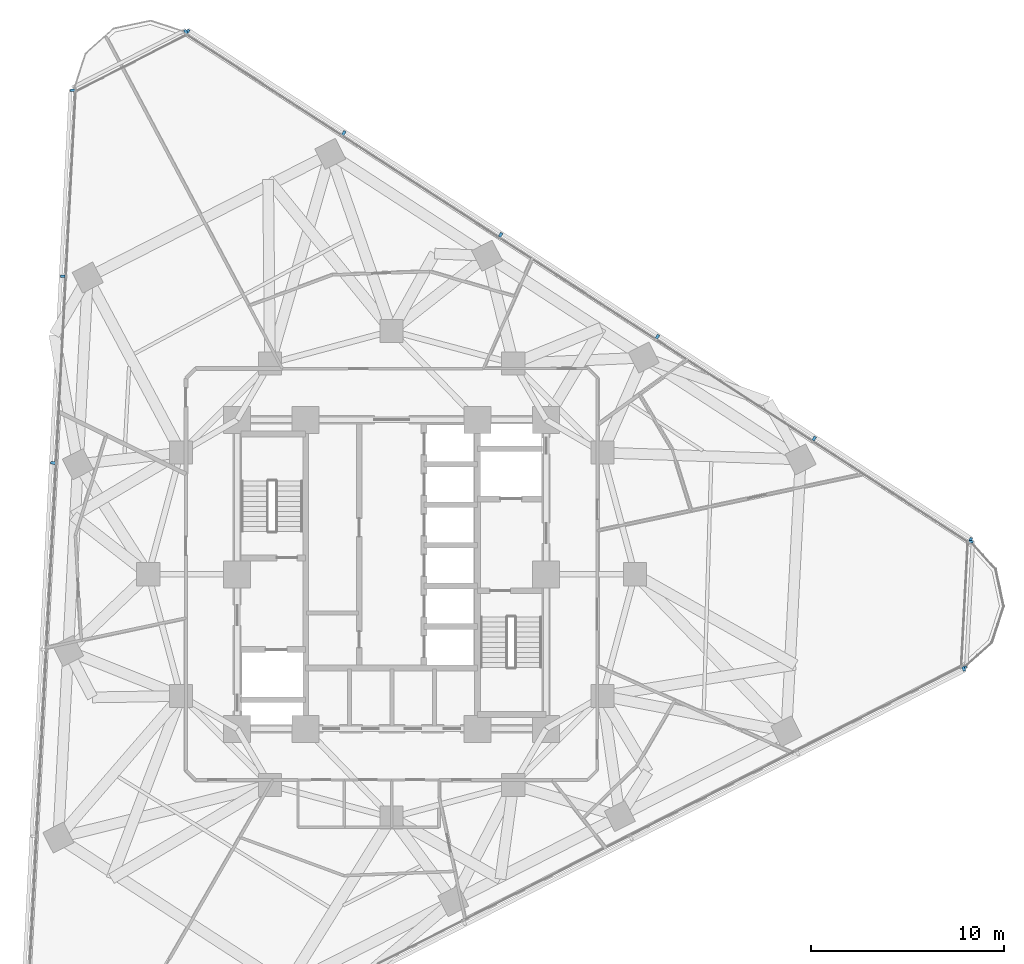
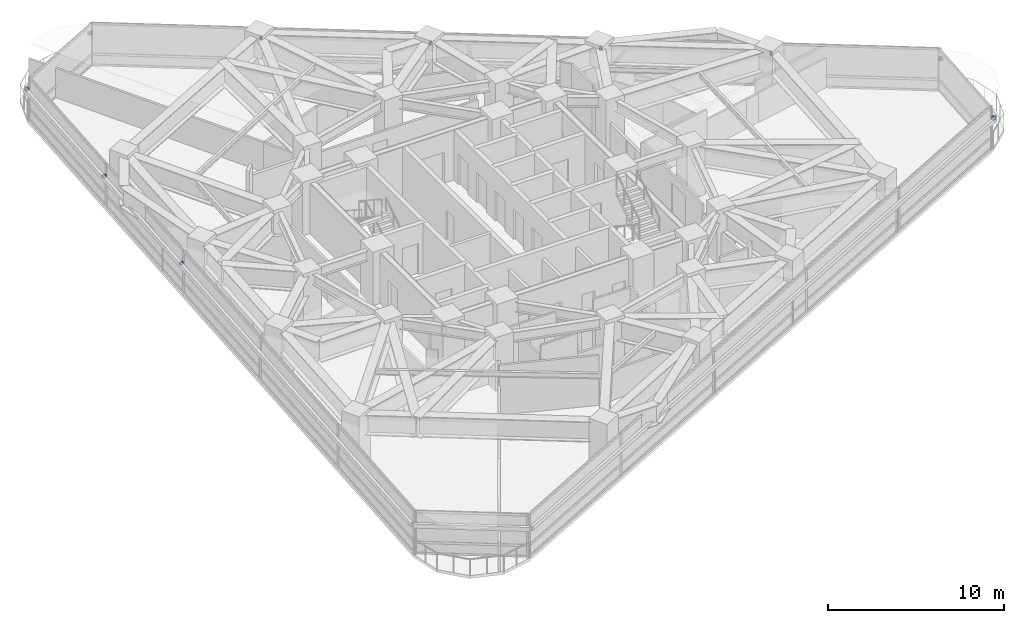
# One storey, part 12 of 15: 13 discrete accessories.
"""IFC4 building model written with IfcOpenShell, lengths in metres."""

from ifc_helpers import new_model, si_unit, direction, frame, origin, origin_2d, place, context, subcontext, project, spatial, rectangle, extrude, material, type_object, element, save


model = new_model("IFC4")

# Units and contexts
model_context = context("Model", 3, precision=1e-05, world=origin(), true_north=direction((0.0, 1.0)))
body_context = subcontext(model_context, "Body", "Model", "MODEL_VIEW")
ifc_project = project(units=[si_unit("LENGTHUNIT", "METRE"), si_unit("AREAUNIT", "SQUARE_METRE"), si_unit("VOLUMEUNIT", "CUBIC_METRE"), si_unit("PLANEANGLEUNIT", "RADIAN"), si_unit("MASSUNIT", "GRAM", prefix="KILO")], contexts=[model_context])

# Site, building, storey
site_placement = place(None, origin())
site = spatial("IfcSite", under=ifc_project, at=site_placement, CompositionType="ELEMENT")
building_placement = place(site_placement, origin())
building = spatial("IfcBuilding", under=site, at=building_placement, Name="Terralouvre Media Tower", CompositionType="ELEMENT")
storey_placement = place(building_placement, frame((0.0, 0.0, 145.800048828125)))
storey = spatial("IfcBuildingStorey", under=building, at=storey_placement, Name="L37", CompositionType="ELEMENT", Elevation=145.800048828125)

# Discrete accessories
ifc_material = material(Name="Anodised extruded aluminium 6063-T6", Category="aluminium")
discrete_accessory_type = type_object("IfcDiscreteAccessoryType", Name="Mullion Stand-Off Baguette Fixing Bracket BK-01", PredefinedType="BRACKET", material=ifc_material)
for number, where, z_axis, x_axis, name in (
    (1, (29.615478515625, -4.90087890625, 2.04931640625), (0.0, 0.0, 1.0), (0.891006501178, 0.4539905449, 0.0), "CW-L37-F0 Baguette Outrigger Bracket 1.06"),
    (2, (29.96533203125, 1.778564453125, 2.04931640625), (0.0, 0.0, 1.0), (-0.838670588944, 0.544639002681, 0.0), "CW-L37-F1 Baguette Outrigger Bracket 1.01"),
    (3, (21.87841796875, 7.030029296875, 2.04931640625), (0.0, 0.0, 1.0), (-0.838670588944, 0.544639002681, 0.0), "CW-L37-F1 Baguette Outrigger Bracket 1.02"),
    (4, (13.76025390625, 12.30224609375, 2.04931640625), (0.0, 0.0, 1.0), (-0.838670588944, 0.544639002681, 0.0), "CW-L37-F1 Baguette Outrigger Bracket 1.03"),
    (5, (5.641845703125, 17.574462890625, 2.04931640625), (0.0, 0.0, 1.0), (-0.838670588944, 0.544639002681, 0.0), "CW-L37-F1 Baguette Outrigger Bracket 1.04"),
    (6, (-2.4765625, 22.846435546875, 2.04931640625), (0.0, 0.0, 1.0), (-0.838670588944, 0.544639002681, 0.0), "CW-L37-F1 Baguette Outrigger Bracket 1.05"),
    (7, (-10.563232421875, 28.09814453125, 2.04931640625), (0.0, 0.0, 1.0), (-0.838670588944, 0.544639002681, 0.0), "CW-L37-F1 Baguette Outrigger Bracket 1.06"),
    (8, (-16.52294921875, 25.0615234375, 2.04931640625), (0.0, 0.0, 1.0), (-0.052335949864, -0.998629535089, 0.0), "CW-L37-F2 Baguette Outrigger Bracket 1.01"),
    (9, (-17.027587890625, 15.432373046875, 2.04931640625), (0.0, 0.0, 1.0), (-0.052335949864, -0.998629535089, 0.0), "CW-L37-F2 Baguette Outrigger Bracket 1.02"),
    (10, (-17.5341796875, 5.765625, 2.04931640625), (0.0, 0.0, 1.0), (-0.052335949864, -0.998629535089, 0.0), "CW-L37-F2 Baguette Outrigger Bracket 1.03"),
    (11, (29.652587890625, -4.81201171875, 2.04931640625), (0.0, 0.0, 1.0), (0.052336823006, 0.998629489329, 0.0), "CW-L37-C1 Baguette Outrigger Bracket 1.01"),
    (12, (29.9931640625, 1.68603515625, 2.04931640625), (0.0, 0.0, 1.0), (0.052336823006, 0.998629489329, 0.0), "CW-L37-C1 Baguette Outrigger Bracket 1.02"),
    (13, (-10.6591796875, 28.085693359375, 2.04931640625), (0.0, 0.0, 1.0), (-0.891006600184, -0.45399035059, 0.0), "CW-L37-C2 Baguette Outrigger Bracket 1.01"),
):
    element("IfcDiscreteAccessory", number, at=place(storey_placement, frame(where, z_axis=z_axis, x_axis=x_axis)), inside=storey, type_object=discrete_accessory_type, Name=name, PredefinedType="BRACKET", context=body_context, shape_type="SweptSolid", body=[
        extrude(rectangle(XDim=0.139892578125, YDim=0.239990234375, at=origin_2d()), origin(), (0.0, 0.0, 1.0), 0.179931640625),
    ])

save(model, "model.ifc")
